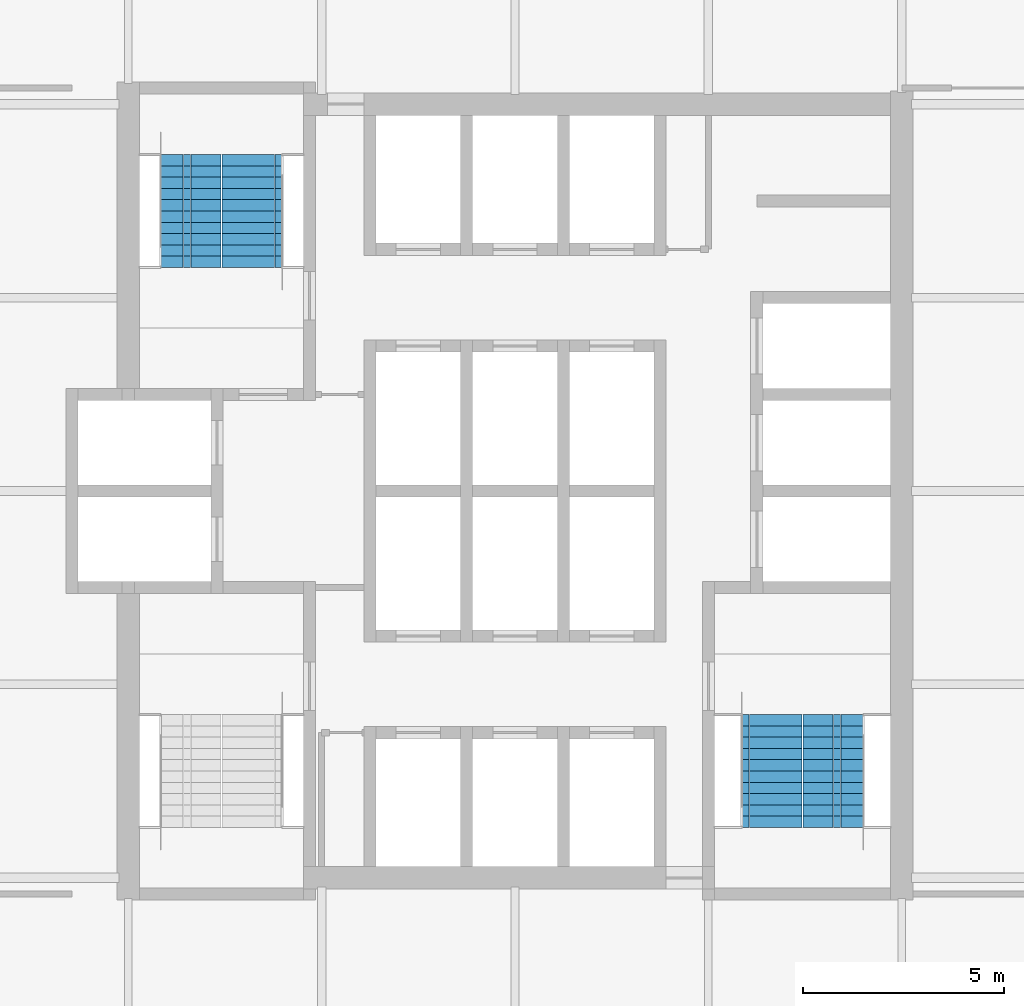
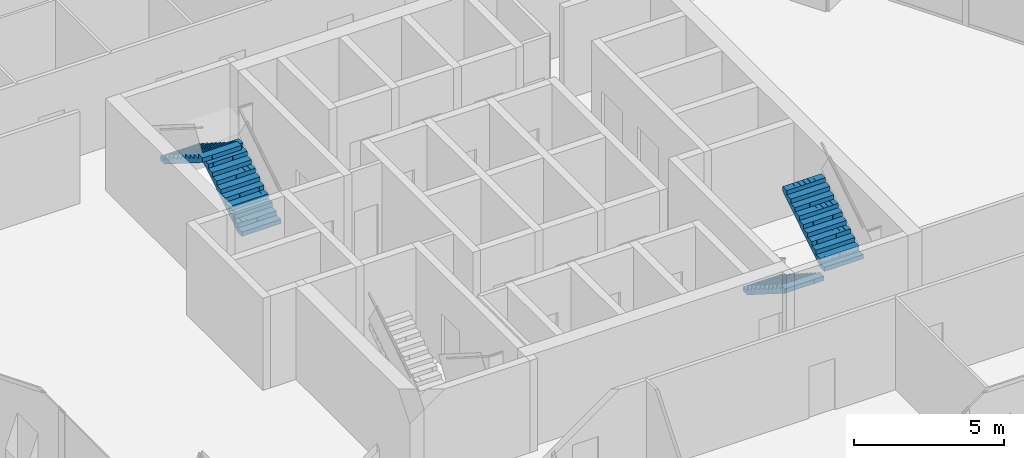
# One storey, part 11 of 13: 4 stair flights, 2 elements without a shape of their own.
"""IFC4 building model written with IfcOpenShell, lengths in metres."""

from ifc_helpers import new_model, si_unit, direction, frame, origin, place, context, subcontext, project, spatial, polyline, outline, extrude, material, type_object, element, aggregate, save


model = new_model("IFC4")

# Units and contexts
model_context = context("Model", 3, precision=1e-05, world=origin(), true_north=direction((0.0, 1.0)))
body_context = subcontext(model_context, "Body", "Model", "MODEL_VIEW")
ifc_project = project(units=[si_unit("LENGTHUNIT", "METRE"), si_unit("AREAUNIT", "SQUARE_METRE"), si_unit("VOLUMEUNIT", "CUBIC_METRE"), si_unit("PLANEANGLEUNIT", "RADIAN"), si_unit("MASSUNIT", "GRAM", prefix="KILO")], contexts=[model_context])

# Site, building, storey
site_placement = place(None, origin())
site = spatial("IfcSite", under=ifc_project, at=site_placement, CompositionType="ELEMENT")
building_placement = place(site_placement, origin())
building = spatial("IfcBuilding", under=site, at=building_placement, Name="Kolab Exchange Tower", CompositionType="ELEMENT")
storey_placement = place(building_placement, frame((0.0, 0.0, 226.699951171875)))
storey = spatial("IfcBuildingStorey", under=building, at=storey_placement, Name="L49", CompositionType="ELEMENT", Elevation=226.699951171875)

# Stair, stair flights
ifc_material = material(Name="Concrete C50/60", Category="concrete")
stair_type_1 = type_object("IfcStairType", Name="STAIR ST1 RISER 177.3", PredefinedType="HALF_TURN_STAIR", material=ifc_material)
stair_1_placement = place(storey_placement, origin())
stair_1 = element("IfcStair", 1, at=stair_1_placement, inside=storey, type_object=stair_type_1, Name="Stair 1", PredefinedType="HALF_TURN_STAIR")
stair_flight_type = type_object("IfcStairFlightType", Name="STAIR FLIGHT 1500 RISER 177.3", PredefinedType="STRAIGHT", material=ifc_material)
stair_flight_1_placement = place(storey_placement, frame((-6.527587890625, 5.550048828125, 0.0), z_axis=(0.0, 0.0, 1.0), x_axis=(0.0, 1.0, 0.0)))
stair_flight_1 = element("IfcStairFlight", 2, at=stair_flight_1_placement, type_object=stair_flight_type, Name="ST1 flight 1", NumberOfRisers=11, NumberOfTreads=10, PredefinedType="STRAIGHT", RiserHeight=0.177272727, TreadLength=0.28, context=body_context, shape_type="SweptSolid", body=[
    extrude(outline(polyline([(0.0, 0.0), (0.0, 0.17724609375), (0.280029296875, 0.17724609375), (0.280029296875, 0.3544921875), (0.56005859375, 0.3544921875), (0.56005859375, 0.53173828125), (0.840087890625, 0.53173828125), (0.840087890625, 0.708984375), (1.1201171875, 0.708984375), (1.1201171875, 0.886474609375), (1.39990234375, 0.886474609375), (1.39990234375, 1.063720703125), (1.679931640625, 1.063720703125), (1.679931640625, 1.240966796875), (1.9599609375, 1.240966796875), (1.9599609375, 1.418212890625), (2.239990234375, 1.418212890625), (2.239990234375, 1.595458984375), (2.52001953125, 1.595458984375), (2.52001953125, 1.772705078125), (2.800048828125, 1.772705078125), (2.800048828125, 1.949951171875), (2.800048828125, 1.59521484375), (0.2802734375, 0.0), (0.0, 0.0)])), frame((0.0, 0.75, 0.0), z_axis=(0.0, -1.0, 0.0), x_axis=(1.0, 0.0, 0.0)), (0.0, 0.0, 1.0), 0.185791015625),
    extrude(outline(polyline([(0.0, 0.0), (0.0, 0.17724609375), (0.280029296875, 0.17724609375), (0.280029296875, 0.3544921875), (0.56005859375, 0.3544921875), (0.56005859375, 0.53173828125), (0.840087890625, 0.53173828125), (0.840087890625, 0.708984375), (1.1201171875, 0.708984375), (1.1201171875, 0.886474609375), (1.39990234375, 0.886474609375), (1.39990234375, 1.063720703125), (1.679931640625, 1.063720703125), (1.679931640625, 1.240966796875), (1.9599609375, 1.240966796875), (1.9599609375, 1.418212890625), (2.239990234375, 1.418212890625), (2.239990234375, 1.595458984375), (2.52001953125, 1.595458984375), (2.52001953125, 1.772705078125), (2.800048828125, 1.772705078125), (2.800048828125, 1.949951171875), (2.800048828125, 1.59521484375), (0.2802734375, 0.0), (0.0, 0.0)])), frame((0.0, 0.562255859375, 0.0), z_axis=(0.0, -1.0, 0.0), x_axis=(1.0, 0.0, 0.0)), (0.0, 0.0, 1.0), 0.185791015625),
    extrude(outline(polyline([(0.0, 0.0), (0.0, 0.17724609375), (0.280029296875, 0.17724609375), (0.280029296875, 0.3544921875), (0.56005859375, 0.3544921875), (0.56005859375, 0.53173828125), (0.840087890625, 0.53173828125), (0.840087890625, 0.708984375), (1.1201171875, 0.708984375), (1.1201171875, 0.886474609375), (1.39990234375, 0.886474609375), (1.39990234375, 1.063720703125), (1.679931640625, 1.063720703125), (1.679931640625, 1.240966796875), (1.9599609375, 1.240966796875), (1.9599609375, 1.418212890625), (2.239990234375, 1.418212890625), (2.239990234375, 1.595458984375), (2.52001953125, 1.595458984375), (2.52001953125, 1.772705078125), (2.800048828125, 1.772705078125), (2.800048828125, 1.949951171875), (2.800048828125, 1.59521484375), (0.2802734375, 0.0), (0.0, 0.0)])), frame((0.0, 0.37451171875, 0.0), z_axis=(0.0, -1.0, 0.0), x_axis=(1.0, 0.0, 0.0)), (0.0, 0.0, 1.0), 0.185791015625),
    extrude(outline(polyline([(0.0, 0.0), (0.0, 0.17724609375), (0.280029296875, 0.17724609375), (0.280029296875, 0.3544921875), (0.56005859375, 0.3544921875), (0.56005859375, 0.53173828125), (0.840087890625, 0.53173828125), (0.840087890625, 0.708984375), (1.1201171875, 0.708984375), (1.1201171875, 0.886474609375), (1.39990234375, 0.886474609375), (1.39990234375, 1.063720703125), (1.679931640625, 1.063720703125), (1.679931640625, 1.240966796875), (1.9599609375, 1.240966796875), (1.9599609375, 1.418212890625), (2.239990234375, 1.418212890625), (2.239990234375, 1.595458984375), (2.52001953125, 1.595458984375), (2.52001953125, 1.772705078125), (2.800048828125, 1.772705078125), (2.800048828125, 1.949951171875), (2.800048828125, 1.59521484375), (0.2802734375, 0.0), (0.0, 0.0)])), frame((0.0, 0.186767578125, 0.0), z_axis=(0.0, -1.0, 0.0), x_axis=(1.0, 0.0, 0.0)), (0.0, 0.0, 1.0), 0.185791015625),
    extrude(outline(polyline([(0.0, 0.0), (0.0, 0.17724609375), (0.280029296875, 0.17724609375), (0.280029296875, 0.3544921875), (0.56005859375, 0.3544921875), (0.56005859375, 0.53173828125), (0.840087890625, 0.53173828125), (0.840087890625, 0.708984375), (1.1201171875, 0.708984375), (1.1201171875, 0.886474609375), (1.39990234375, 0.886474609375), (1.39990234375, 1.063720703125), (1.679931640625, 1.063720703125), (1.679931640625, 1.240966796875), (1.9599609375, 1.240966796875), (1.9599609375, 1.418212890625), (2.239990234375, 1.418212890625), (2.239990234375, 1.595458984375), (2.52001953125, 1.595458984375), (2.52001953125, 1.772705078125), (2.800048828125, 1.772705078125), (2.800048828125, 1.949951171875), (2.800048828125, 1.59521484375), (0.2802734375, 0.0), (0.0, 0.0)])), frame((0.0, -0.0009765625, 0.0), z_axis=(0.0, -1.0, 0.0), x_axis=(1.0, 0.0, 0.0)), (0.0, 0.0, 1.0), 0.185791015625),
    extrude(outline(polyline([(0.0, 0.0), (0.0, 0.17724609375), (0.280029296875, 0.17724609375), (0.280029296875, 0.3544921875), (0.56005859375, 0.3544921875), (0.56005859375, 0.53173828125), (0.840087890625, 0.53173828125), (0.840087890625, 0.708984375), (1.1201171875, 0.708984375), (1.1201171875, 0.886474609375), (1.39990234375, 0.886474609375), (1.39990234375, 1.063720703125), (1.679931640625, 1.063720703125), (1.679931640625, 1.240966796875), (1.9599609375, 1.240966796875), (1.9599609375, 1.418212890625), (2.239990234375, 1.418212890625), (2.239990234375, 1.595458984375), (2.52001953125, 1.595458984375), (2.52001953125, 1.772705078125), (2.800048828125, 1.772705078125), (2.800048828125, 1.949951171875), (2.800048828125, 1.59521484375), (0.2802734375, 0.0), (0.0, 0.0)])), frame((0.0, -0.188720703125, 0.0), z_axis=(0.0, -1.0, 0.0), x_axis=(1.0, 0.0, 0.0)), (0.0, 0.0, 1.0), 0.185791015625),
    extrude(outline(polyline([(0.0, 0.0), (0.0, 0.17724609375), (0.280029296875, 0.17724609375), (0.280029296875, 0.3544921875), (0.56005859375, 0.3544921875), (0.56005859375, 0.53173828125), (0.840087890625, 0.53173828125), (0.840087890625, 0.708984375), (1.1201171875, 0.708984375), (1.1201171875, 0.886474609375), (1.39990234375, 0.886474609375), (1.39990234375, 1.063720703125), (1.679931640625, 1.063720703125), (1.679931640625, 1.240966796875), (1.9599609375, 1.240966796875), (1.9599609375, 1.418212890625), (2.239990234375, 1.418212890625), (2.239990234375, 1.595458984375), (2.52001953125, 1.595458984375), (2.52001953125, 1.772705078125), (2.800048828125, 1.772705078125), (2.800048828125, 1.949951171875), (2.800048828125, 1.59521484375), (0.2802734375, 0.0), (0.0, 0.0)])), frame((0.0, -0.37646484375, 0.0), z_axis=(0.0, -1.0, 0.0), x_axis=(1.0, 0.0, 0.0)), (0.0, 0.0, 1.0), 0.185791015625),
    extrude(outline(polyline([(0.0, 0.0), (0.0, 0.17724609375), (0.280029296875, 0.17724609375), (0.280029296875, 0.3544921875), (0.56005859375, 0.3544921875), (0.56005859375, 0.53173828125), (0.840087890625, 0.53173828125), (0.840087890625, 0.708984375), (1.1201171875, 0.708984375), (1.1201171875, 0.886474609375), (1.39990234375, 0.886474609375), (1.39990234375, 1.063720703125), (1.679931640625, 1.063720703125), (1.679931640625, 1.240966796875), (1.9599609375, 1.240966796875), (1.9599609375, 1.418212890625), (2.239990234375, 1.418212890625), (2.239990234375, 1.595458984375), (2.52001953125, 1.595458984375), (2.52001953125, 1.772705078125), (2.800048828125, 1.772705078125), (2.800048828125, 1.949951171875), (2.800048828125, 1.59521484375), (0.2802734375, 0.0), (0.0, 0.0)])), frame((0.0, -0.564208984375, 0.0), z_axis=(0.0, -1.0, 0.0), x_axis=(1.0, 0.0, 0.0)), (0.0, 0.0, 1.0), 0.185791015625),
])
stair_flight_2_placement = place(storey_placement, frame((-8.047607421875, 8.35009765625, 1.949951171875), z_axis=(0.0, 0.0, 1.0), x_axis=(0.0, -1.0, 0.0)))
stair_flight_2 = element("IfcStairFlight", 3, at=stair_flight_2_placement, type_object=stair_flight_type, Name="ST1 flight 2", NumberOfRisers=11, NumberOfTreads=10, PredefinedType="STRAIGHT", RiserHeight=0.177272727, TreadLength=0.28, context=body_context, shape_type="SweptSolid", body=[
    extrude(outline(polyline([(0.0, 0.0), (0.0, 0.17724609375), (0.280029296875, 0.17724609375), (0.280029296875, 0.3544921875), (0.56005859375, 0.3544921875), (0.56005859375, 0.53173828125), (0.840087890625, 0.53173828125), (0.840087890625, 0.708984375), (1.1201171875, 0.708984375), (1.1201171875, 0.886474609375), (1.39990234375, 0.886474609375), (1.39990234375, 1.063720703125), (1.679931640625, 1.063720703125), (1.679931640625, 1.240966796875), (1.9599609375, 1.240966796875), (1.9599609375, 1.418212890625), (2.239990234375, 1.418212890625), (2.239990234375, 1.595458984375), (2.52001953125, 1.595458984375), (2.52001953125, 1.772705078125), (2.800048828125, 1.772705078125), (2.800048828125, 1.949951171875), (2.800048828125, 1.59521484375), (0.2802734375, 0.0), (0.0, 0.0)])), frame((0.0, 0.75, 0.0), z_axis=(0.0, -1.0, 0.0), x_axis=(1.0, 0.0, 0.0)), (0.0, 0.0, 1.0), 0.185791015625),
    extrude(outline(polyline([(0.0, 0.0), (0.0, 0.17724609375), (0.280029296875, 0.17724609375), (0.280029296875, 0.3544921875), (0.56005859375, 0.3544921875), (0.56005859375, 0.53173828125), (0.840087890625, 0.53173828125), (0.840087890625, 0.708984375), (1.1201171875, 0.708984375), (1.1201171875, 0.886474609375), (1.39990234375, 0.886474609375), (1.39990234375, 1.063720703125), (1.679931640625, 1.063720703125), (1.679931640625, 1.240966796875), (1.9599609375, 1.240966796875), (1.9599609375, 1.418212890625), (2.239990234375, 1.418212890625), (2.239990234375, 1.595458984375), (2.52001953125, 1.595458984375), (2.52001953125, 1.772705078125), (2.800048828125, 1.772705078125), (2.800048828125, 1.949951171875), (2.800048828125, 1.59521484375), (0.2802734375, 0.0), (0.0, 0.0)])), frame((0.0, 0.562255859375, 0.0), z_axis=(0.0, -1.0, 0.0), x_axis=(1.0, 0.0, 0.0)), (0.0, 0.0, 1.0), 0.185791015625),
    extrude(outline(polyline([(0.0, 0.0), (0.0, 0.17724609375), (0.280029296875, 0.17724609375), (0.280029296875, 0.3544921875), (0.56005859375, 0.3544921875), (0.56005859375, 0.53173828125), (0.840087890625, 0.53173828125), (0.840087890625, 0.708984375), (1.1201171875, 0.708984375), (1.1201171875, 0.886474609375), (1.39990234375, 0.886474609375), (1.39990234375, 1.063720703125), (1.679931640625, 1.063720703125), (1.679931640625, 1.240966796875), (1.9599609375, 1.240966796875), (1.9599609375, 1.418212890625), (2.239990234375, 1.418212890625), (2.239990234375, 1.595458984375), (2.52001953125, 1.595458984375), (2.52001953125, 1.772705078125), (2.800048828125, 1.772705078125), (2.800048828125, 1.949951171875), (2.800048828125, 1.59521484375), (0.2802734375, 0.0), (0.0, 0.0)])), frame((0.0, 0.37451171875, 0.0), z_axis=(0.0, -1.0, 0.0), x_axis=(1.0, 0.0, 0.0)), (0.0, 0.0, 1.0), 0.185791015625),
    extrude(outline(polyline([(0.0, 0.0), (0.0, 0.17724609375), (0.280029296875, 0.17724609375), (0.280029296875, 0.3544921875), (0.56005859375, 0.3544921875), (0.56005859375, 0.53173828125), (0.840087890625, 0.53173828125), (0.840087890625, 0.708984375), (1.1201171875, 0.708984375), (1.1201171875, 0.886474609375), (1.39990234375, 0.886474609375), (1.39990234375, 1.063720703125), (1.679931640625, 1.063720703125), (1.679931640625, 1.240966796875), (1.9599609375, 1.240966796875), (1.9599609375, 1.418212890625), (2.239990234375, 1.418212890625), (2.239990234375, 1.595458984375), (2.52001953125, 1.595458984375), (2.52001953125, 1.772705078125), (2.800048828125, 1.772705078125), (2.800048828125, 1.949951171875), (2.800048828125, 1.59521484375), (0.2802734375, 0.0), (0.0, 0.0)])), frame((0.0, 0.186767578125, 0.0), z_axis=(0.0, -1.0, 0.0), x_axis=(1.0, 0.0, 0.0)), (0.0, 0.0, 1.0), 0.185791015625),
    extrude(outline(polyline([(0.0, 0.0), (0.0, 0.17724609375), (0.280029296875, 0.17724609375), (0.280029296875, 0.3544921875), (0.56005859375, 0.3544921875), (0.56005859375, 0.53173828125), (0.840087890625, 0.53173828125), (0.840087890625, 0.708984375), (1.1201171875, 0.708984375), (1.1201171875, 0.886474609375), (1.39990234375, 0.886474609375), (1.39990234375, 1.063720703125), (1.679931640625, 1.063720703125), (1.679931640625, 1.240966796875), (1.9599609375, 1.240966796875), (1.9599609375, 1.418212890625), (2.239990234375, 1.418212890625), (2.239990234375, 1.595458984375), (2.52001953125, 1.595458984375), (2.52001953125, 1.772705078125), (2.800048828125, 1.772705078125), (2.800048828125, 1.949951171875), (2.800048828125, 1.59521484375), (0.2802734375, 0.0), (0.0, 0.0)])), frame((0.0, -0.0009765625, 0.0), z_axis=(0.0, -1.0, 0.0), x_axis=(1.0, 0.0, 0.0)), (0.0, 0.0, 1.0), 0.185791015625),
    extrude(outline(polyline([(0.0, 0.0), (0.0, 0.17724609375), (0.280029296875, 0.17724609375), (0.280029296875, 0.3544921875), (0.56005859375, 0.3544921875), (0.56005859375, 0.53173828125), (0.840087890625, 0.53173828125), (0.840087890625, 0.708984375), (1.1201171875, 0.708984375), (1.1201171875, 0.886474609375), (1.39990234375, 0.886474609375), (1.39990234375, 1.063720703125), (1.679931640625, 1.063720703125), (1.679931640625, 1.240966796875), (1.9599609375, 1.240966796875), (1.9599609375, 1.418212890625), (2.239990234375, 1.418212890625), (2.239990234375, 1.595458984375), (2.52001953125, 1.595458984375), (2.52001953125, 1.772705078125), (2.800048828125, 1.772705078125), (2.800048828125, 1.949951171875), (2.800048828125, 1.59521484375), (0.2802734375, 0.0), (0.0, 0.0)])), frame((0.0, -0.188720703125, 0.0), z_axis=(0.0, -1.0, 0.0), x_axis=(1.0, 0.0, 0.0)), (0.0, 0.0, 1.0), 0.185791015625),
    extrude(outline(polyline([(0.0, 0.0), (0.0, 0.17724609375), (0.280029296875, 0.17724609375), (0.280029296875, 0.3544921875), (0.56005859375, 0.3544921875), (0.56005859375, 0.53173828125), (0.840087890625, 0.53173828125), (0.840087890625, 0.708984375), (1.1201171875, 0.708984375), (1.1201171875, 0.886474609375), (1.39990234375, 0.886474609375), (1.39990234375, 1.063720703125), (1.679931640625, 1.063720703125), (1.679931640625, 1.240966796875), (1.9599609375, 1.240966796875), (1.9599609375, 1.418212890625), (2.239990234375, 1.418212890625), (2.239990234375, 1.595458984375), (2.52001953125, 1.595458984375), (2.52001953125, 1.772705078125), (2.800048828125, 1.772705078125), (2.800048828125, 1.949951171875), (2.800048828125, 1.59521484375), (0.2802734375, 0.0), (0.0, 0.0)])), frame((0.0, -0.37646484375, 0.0), z_axis=(0.0, -1.0, 0.0), x_axis=(1.0, 0.0, 0.0)), (0.0, 0.0, 1.0), 0.185791015625),
    extrude(outline(polyline([(0.0, 0.0), (0.0, 0.17724609375), (0.280029296875, 0.17724609375), (0.280029296875, 0.3544921875), (0.56005859375, 0.3544921875), (0.56005859375, 0.53173828125), (0.840087890625, 0.53173828125), (0.840087890625, 0.708984375), (1.1201171875, 0.708984375), (1.1201171875, 0.886474609375), (1.39990234375, 0.886474609375), (1.39990234375, 1.063720703125), (1.679931640625, 1.063720703125), (1.679931640625, 1.240966796875), (1.9599609375, 1.240966796875), (1.9599609375, 1.418212890625), (2.239990234375, 1.418212890625), (2.239990234375, 1.595458984375), (2.52001953125, 1.595458984375), (2.52001953125, 1.772705078125), (2.800048828125, 1.772705078125), (2.800048828125, 1.949951171875), (2.800048828125, 1.59521484375), (0.2802734375, 0.0), (0.0, 0.0)])), frame((0.0, -0.564208984375, 0.0), z_axis=(0.0, -1.0, 0.0), x_axis=(1.0, 0.0, 0.0)), (0.0, 0.0, 1.0), 0.185791015625),
])
aggregate(stair_1, [stair_flight_1, stair_flight_2])

stair_type_2 = type_object("IfcStairType", Name="STAIR ST2 RISER 177.3", PredefinedType="HALF_TURN_STAIR", material=ifc_material)
stair_2_placement = place(storey_placement, origin())
stair_2 = element("IfcStair", 4, at=stair_2_placement, inside=storey, type_object=stair_type_2, Name="Stair 2", PredefinedType="HALF_TURN_STAIR")
stair_flight_3_placement = place(storey_placement, frame((6.37744140625, -5.550048828125, 0.0), z_axis=(0.0, 0.0, 1.0), x_axis=(0.0, -1.0, 0.0)))
stair_flight_3 = element("IfcStairFlight", 5, at=stair_flight_3_placement, type_object=stair_flight_type, Name="ST2 flight 1", NumberOfRisers=11, NumberOfTreads=10, PredefinedType="STRAIGHT", RiserHeight=0.177272727, TreadLength=0.28, context=body_context, shape_type="SweptSolid", body=[
    extrude(outline(polyline([(0.0, 0.0), (0.0, 0.17724609375), (0.280029296875, 0.17724609375), (0.280029296875, 0.3544921875), (0.56005859375, 0.3544921875), (0.56005859375, 0.53173828125), (0.840087890625, 0.53173828125), (0.840087890625, 0.708984375), (1.1201171875, 0.708984375), (1.1201171875, 0.886474609375), (1.39990234375, 0.886474609375), (1.39990234375, 1.063720703125), (1.679931640625, 1.063720703125), (1.679931640625, 1.240966796875), (1.9599609375, 1.240966796875), (1.9599609375, 1.418212890625), (2.239990234375, 1.418212890625), (2.239990234375, 1.595458984375), (2.52001953125, 1.595458984375), (2.52001953125, 1.772705078125), (2.800048828125, 1.772705078125), (2.800048828125, 1.949951171875), (2.800048828125, 1.59521484375), (0.2802734375, 0.0), (0.0, 0.0)])), frame((0.0, 0.75, 0.0), z_axis=(0.0, -1.0, 0.0), x_axis=(1.0, 0.0, 0.0)), (0.0, 0.0, 1.0), 0.185791015625),
    extrude(outline(polyline([(0.0, 0.0), (0.0, 0.17724609375), (0.280029296875, 0.17724609375), (0.280029296875, 0.3544921875), (0.56005859375, 0.3544921875), (0.56005859375, 0.53173828125), (0.840087890625, 0.53173828125), (0.840087890625, 0.708984375), (1.1201171875, 0.708984375), (1.1201171875, 0.886474609375), (1.39990234375, 0.886474609375), (1.39990234375, 1.063720703125), (1.679931640625, 1.063720703125), (1.679931640625, 1.240966796875), (1.9599609375, 1.240966796875), (1.9599609375, 1.418212890625), (2.239990234375, 1.418212890625), (2.239990234375, 1.595458984375), (2.52001953125, 1.595458984375), (2.52001953125, 1.772705078125), (2.800048828125, 1.772705078125), (2.800048828125, 1.949951171875), (2.800048828125, 1.59521484375), (0.2802734375, 0.0), (0.0, 0.0)])), frame((0.0, 0.562255859375, 0.0), z_axis=(0.0, -1.0, 0.0), x_axis=(1.0, 0.0, 0.0)), (0.0, 0.0, 1.0), 0.185791015625),
    extrude(outline(polyline([(0.0, 0.0), (0.0, 0.17724609375), (0.280029296875, 0.17724609375), (0.280029296875, 0.3544921875), (0.56005859375, 0.3544921875), (0.56005859375, 0.53173828125), (0.840087890625, 0.53173828125), (0.840087890625, 0.708984375), (1.1201171875, 0.708984375), (1.1201171875, 0.886474609375), (1.39990234375, 0.886474609375), (1.39990234375, 1.063720703125), (1.679931640625, 1.063720703125), (1.679931640625, 1.240966796875), (1.9599609375, 1.240966796875), (1.9599609375, 1.418212890625), (2.239990234375, 1.418212890625), (2.239990234375, 1.595458984375), (2.52001953125, 1.595458984375), (2.52001953125, 1.772705078125), (2.800048828125, 1.772705078125), (2.800048828125, 1.949951171875), (2.800048828125, 1.59521484375), (0.2802734375, 0.0), (0.0, 0.0)])), frame((0.0, 0.37451171875, 0.0), z_axis=(0.0, -1.0, 0.0), x_axis=(1.0, 0.0, 0.0)), (0.0, 0.0, 1.0), 0.185791015625),
    extrude(outline(polyline([(0.0, 0.0), (0.0, 0.17724609375), (0.280029296875, 0.17724609375), (0.280029296875, 0.3544921875), (0.56005859375, 0.3544921875), (0.56005859375, 0.53173828125), (0.840087890625, 0.53173828125), (0.840087890625, 0.708984375), (1.1201171875, 0.708984375), (1.1201171875, 0.886474609375), (1.39990234375, 0.886474609375), (1.39990234375, 1.063720703125), (1.679931640625, 1.063720703125), (1.679931640625, 1.240966796875), (1.9599609375, 1.240966796875), (1.9599609375, 1.418212890625), (2.239990234375, 1.418212890625), (2.239990234375, 1.595458984375), (2.52001953125, 1.595458984375), (2.52001953125, 1.772705078125), (2.800048828125, 1.772705078125), (2.800048828125, 1.949951171875), (2.800048828125, 1.59521484375), (0.2802734375, 0.0), (0.0, 0.0)])), frame((0.0, 0.186767578125, 0.0), z_axis=(0.0, -1.0, 0.0), x_axis=(1.0, 0.0, 0.0)), (0.0, 0.0, 1.0), 0.185791015625),
    extrude(outline(polyline([(0.0, 0.0), (0.0, 0.17724609375), (0.280029296875, 0.17724609375), (0.280029296875, 0.3544921875), (0.56005859375, 0.3544921875), (0.56005859375, 0.53173828125), (0.840087890625, 0.53173828125), (0.840087890625, 0.708984375), (1.1201171875, 0.708984375), (1.1201171875, 0.886474609375), (1.39990234375, 0.886474609375), (1.39990234375, 1.063720703125), (1.679931640625, 1.063720703125), (1.679931640625, 1.240966796875), (1.9599609375, 1.240966796875), (1.9599609375, 1.418212890625), (2.239990234375, 1.418212890625), (2.239990234375, 1.595458984375), (2.52001953125, 1.595458984375), (2.52001953125, 1.772705078125), (2.800048828125, 1.772705078125), (2.800048828125, 1.949951171875), (2.800048828125, 1.59521484375), (0.2802734375, 0.0), (0.0, 0.0)])), frame((0.0, -0.0009765625, 0.0), z_axis=(0.0, -1.0, 0.0), x_axis=(1.0, 0.0, 0.0)), (0.0, 0.0, 1.0), 0.185791015625),
    extrude(outline(polyline([(0.0, 0.0), (0.0, 0.17724609375), (0.280029296875, 0.17724609375), (0.280029296875, 0.3544921875), (0.56005859375, 0.3544921875), (0.56005859375, 0.53173828125), (0.840087890625, 0.53173828125), (0.840087890625, 0.708984375), (1.1201171875, 0.708984375), (1.1201171875, 0.886474609375), (1.39990234375, 0.886474609375), (1.39990234375, 1.063720703125), (1.679931640625, 1.063720703125), (1.679931640625, 1.240966796875), (1.9599609375, 1.240966796875), (1.9599609375, 1.418212890625), (2.239990234375, 1.418212890625), (2.239990234375, 1.595458984375), (2.52001953125, 1.595458984375), (2.52001953125, 1.772705078125), (2.800048828125, 1.772705078125), (2.800048828125, 1.949951171875), (2.800048828125, 1.59521484375), (0.2802734375, 0.0), (0.0, 0.0)])), frame((0.0, -0.188720703125, 0.0), z_axis=(0.0, -1.0, 0.0), x_axis=(1.0, 0.0, 0.0)), (0.0, 0.0, 1.0), 0.185791015625),
    extrude(outline(polyline([(0.0, 0.0), (0.0, 0.17724609375), (0.280029296875, 0.17724609375), (0.280029296875, 0.3544921875), (0.56005859375, 0.3544921875), (0.56005859375, 0.53173828125), (0.840087890625, 0.53173828125), (0.840087890625, 0.708984375), (1.1201171875, 0.708984375), (1.1201171875, 0.886474609375), (1.39990234375, 0.886474609375), (1.39990234375, 1.063720703125), (1.679931640625, 1.063720703125), (1.679931640625, 1.240966796875), (1.9599609375, 1.240966796875), (1.9599609375, 1.418212890625), (2.239990234375, 1.418212890625), (2.239990234375, 1.595458984375), (2.52001953125, 1.595458984375), (2.52001953125, 1.772705078125), (2.800048828125, 1.772705078125), (2.800048828125, 1.949951171875), (2.800048828125, 1.59521484375), (0.2802734375, 0.0), (0.0, 0.0)])), frame((0.0, -0.37646484375, 0.0), z_axis=(0.0, -1.0, 0.0), x_axis=(1.0, 0.0, 0.0)), (0.0, 0.0, 1.0), 0.185791015625),
    extrude(outline(polyline([(0.0, 0.0), (0.0, 0.17724609375), (0.280029296875, 0.17724609375), (0.280029296875, 0.3544921875), (0.56005859375, 0.3544921875), (0.56005859375, 0.53173828125), (0.840087890625, 0.53173828125), (0.840087890625, 0.708984375), (1.1201171875, 0.708984375), (1.1201171875, 0.886474609375), (1.39990234375, 0.886474609375), (1.39990234375, 1.063720703125), (1.679931640625, 1.063720703125), (1.679931640625, 1.240966796875), (1.9599609375, 1.240966796875), (1.9599609375, 1.418212890625), (2.239990234375, 1.418212890625), (2.239990234375, 1.595458984375), (2.52001953125, 1.595458984375), (2.52001953125, 1.772705078125), (2.800048828125, 1.772705078125), (2.800048828125, 1.949951171875), (2.800048828125, 1.59521484375), (0.2802734375, 0.0), (0.0, 0.0)])), frame((0.0, -0.564208984375, 0.0), z_axis=(0.0, -1.0, 0.0), x_axis=(1.0, 0.0, 0.0)), (0.0, 0.0, 1.0), 0.185791015625),
])
stair_flight_4_placement = place(storey_placement, frame((7.8974609375, -8.35009765625, 1.949951171875), z_axis=(0.0, 0.0, 1.0), x_axis=(0.0, 1.0, 0.0)))
stair_flight_4 = element("IfcStairFlight", 6, at=stair_flight_4_placement, type_object=stair_flight_type, Name="ST2 flight 2", NumberOfRisers=11, NumberOfTreads=10, PredefinedType="STRAIGHT", RiserHeight=0.177272727, TreadLength=0.28, context=body_context, shape_type="SweptSolid", body=[
    extrude(outline(polyline([(0.0, 0.0), (0.0, 0.17724609375), (0.280029296875, 0.17724609375), (0.280029296875, 0.3544921875), (0.56005859375, 0.3544921875), (0.56005859375, 0.53173828125), (0.840087890625, 0.53173828125), (0.840087890625, 0.708984375), (1.1201171875, 0.708984375), (1.1201171875, 0.886474609375), (1.39990234375, 0.886474609375), (1.39990234375, 1.063720703125), (1.679931640625, 1.063720703125), (1.679931640625, 1.240966796875), (1.9599609375, 1.240966796875), (1.9599609375, 1.418212890625), (2.239990234375, 1.418212890625), (2.239990234375, 1.595458984375), (2.52001953125, 1.595458984375), (2.52001953125, 1.772705078125), (2.800048828125, 1.772705078125), (2.800048828125, 1.949951171875), (2.800048828125, 1.59521484375), (0.2802734375, 0.0), (0.0, 0.0)])), frame((0.0, 0.75, 0.0), z_axis=(0.0, -1.0, 0.0), x_axis=(1.0, 0.0, 0.0)), (0.0, 0.0, 1.0), 0.185791015625),
    extrude(outline(polyline([(0.0, 0.0), (0.0, 0.17724609375), (0.280029296875, 0.17724609375), (0.280029296875, 0.3544921875), (0.56005859375, 0.3544921875), (0.56005859375, 0.53173828125), (0.840087890625, 0.53173828125), (0.840087890625, 0.708984375), (1.1201171875, 0.708984375), (1.1201171875, 0.886474609375), (1.39990234375, 0.886474609375), (1.39990234375, 1.063720703125), (1.679931640625, 1.063720703125), (1.679931640625, 1.240966796875), (1.9599609375, 1.240966796875), (1.9599609375, 1.418212890625), (2.239990234375, 1.418212890625), (2.239990234375, 1.595458984375), (2.52001953125, 1.595458984375), (2.52001953125, 1.772705078125), (2.800048828125, 1.772705078125), (2.800048828125, 1.949951171875), (2.800048828125, 1.59521484375), (0.2802734375, 0.0), (0.0, 0.0)])), frame((0.0, 0.562255859375, 0.0), z_axis=(0.0, -1.0, 0.0), x_axis=(1.0, 0.0, 0.0)), (0.0, 0.0, 1.0), 0.185791015625),
    extrude(outline(polyline([(0.0, 0.0), (0.0, 0.17724609375), (0.280029296875, 0.17724609375), (0.280029296875, 0.3544921875), (0.56005859375, 0.3544921875), (0.56005859375, 0.53173828125), (0.840087890625, 0.53173828125), (0.840087890625, 0.708984375), (1.1201171875, 0.708984375), (1.1201171875, 0.886474609375), (1.39990234375, 0.886474609375), (1.39990234375, 1.063720703125), (1.679931640625, 1.063720703125), (1.679931640625, 1.240966796875), (1.9599609375, 1.240966796875), (1.9599609375, 1.418212890625), (2.239990234375, 1.418212890625), (2.239990234375, 1.595458984375), (2.52001953125, 1.595458984375), (2.52001953125, 1.772705078125), (2.800048828125, 1.772705078125), (2.800048828125, 1.949951171875), (2.800048828125, 1.59521484375), (0.2802734375, 0.0), (0.0, 0.0)])), frame((0.0, 0.37451171875, 0.0), z_axis=(0.0, -1.0, 0.0), x_axis=(1.0, 0.0, 0.0)), (0.0, 0.0, 1.0), 0.185791015625),
    extrude(outline(polyline([(0.0, 0.0), (0.0, 0.17724609375), (0.280029296875, 0.17724609375), (0.280029296875, 0.3544921875), (0.56005859375, 0.3544921875), (0.56005859375, 0.53173828125), (0.840087890625, 0.53173828125), (0.840087890625, 0.708984375), (1.1201171875, 0.708984375), (1.1201171875, 0.886474609375), (1.39990234375, 0.886474609375), (1.39990234375, 1.063720703125), (1.679931640625, 1.063720703125), (1.679931640625, 1.240966796875), (1.9599609375, 1.240966796875), (1.9599609375, 1.418212890625), (2.239990234375, 1.418212890625), (2.239990234375, 1.595458984375), (2.52001953125, 1.595458984375), (2.52001953125, 1.772705078125), (2.800048828125, 1.772705078125), (2.800048828125, 1.949951171875), (2.800048828125, 1.59521484375), (0.2802734375, 0.0), (0.0, 0.0)])), frame((0.0, 0.186767578125, 0.0), z_axis=(0.0, -1.0, 0.0), x_axis=(1.0, 0.0, 0.0)), (0.0, 0.0, 1.0), 0.185791015625),
    extrude(outline(polyline([(0.0, 0.0), (0.0, 0.17724609375), (0.280029296875, 0.17724609375), (0.280029296875, 0.3544921875), (0.56005859375, 0.3544921875), (0.56005859375, 0.53173828125), (0.840087890625, 0.53173828125), (0.840087890625, 0.708984375), (1.1201171875, 0.708984375), (1.1201171875, 0.886474609375), (1.39990234375, 0.886474609375), (1.39990234375, 1.063720703125), (1.679931640625, 1.063720703125), (1.679931640625, 1.240966796875), (1.9599609375, 1.240966796875), (1.9599609375, 1.418212890625), (2.239990234375, 1.418212890625), (2.239990234375, 1.595458984375), (2.52001953125, 1.595458984375), (2.52001953125, 1.772705078125), (2.800048828125, 1.772705078125), (2.800048828125, 1.949951171875), (2.800048828125, 1.59521484375), (0.2802734375, 0.0), (0.0, 0.0)])), frame((0.0, -0.0009765625, 0.0), z_axis=(0.0, -1.0, 0.0), x_axis=(1.0, 0.0, 0.0)), (0.0, 0.0, 1.0), 0.185791015625),
    extrude(outline(polyline([(0.0, 0.0), (0.0, 0.17724609375), (0.280029296875, 0.17724609375), (0.280029296875, 0.3544921875), (0.56005859375, 0.3544921875), (0.56005859375, 0.53173828125), (0.840087890625, 0.53173828125), (0.840087890625, 0.708984375), (1.1201171875, 0.708984375), (1.1201171875, 0.886474609375), (1.39990234375, 0.886474609375), (1.39990234375, 1.063720703125), (1.679931640625, 1.063720703125), (1.679931640625, 1.240966796875), (1.9599609375, 1.240966796875), (1.9599609375, 1.418212890625), (2.239990234375, 1.418212890625), (2.239990234375, 1.595458984375), (2.52001953125, 1.595458984375), (2.52001953125, 1.772705078125), (2.800048828125, 1.772705078125), (2.800048828125, 1.949951171875), (2.800048828125, 1.59521484375), (0.2802734375, 0.0), (0.0, 0.0)])), frame((0.0, -0.188720703125, 0.0), z_axis=(0.0, -1.0, 0.0), x_axis=(1.0, 0.0, 0.0)), (0.0, 0.0, 1.0), 0.185791015625),
    extrude(outline(polyline([(0.0, 0.0), (0.0, 0.17724609375), (0.280029296875, 0.17724609375), (0.280029296875, 0.3544921875), (0.56005859375, 0.3544921875), (0.56005859375, 0.53173828125), (0.840087890625, 0.53173828125), (0.840087890625, 0.708984375), (1.1201171875, 0.708984375), (1.1201171875, 0.886474609375), (1.39990234375, 0.886474609375), (1.39990234375, 1.063720703125), (1.679931640625, 1.063720703125), (1.679931640625, 1.240966796875), (1.9599609375, 1.240966796875), (1.9599609375, 1.418212890625), (2.239990234375, 1.418212890625), (2.239990234375, 1.595458984375), (2.52001953125, 1.595458984375), (2.52001953125, 1.772705078125), (2.800048828125, 1.772705078125), (2.800048828125, 1.949951171875), (2.800048828125, 1.59521484375), (0.2802734375, 0.0), (0.0, 0.0)])), frame((0.0, -0.37646484375, 0.0), z_axis=(0.0, -1.0, 0.0), x_axis=(1.0, 0.0, 0.0)), (0.0, 0.0, 1.0), 0.185791015625),
    extrude(outline(polyline([(0.0, 0.0), (0.0, 0.17724609375), (0.280029296875, 0.17724609375), (0.280029296875, 0.3544921875), (0.56005859375, 0.3544921875), (0.56005859375, 0.53173828125), (0.840087890625, 0.53173828125), (0.840087890625, 0.708984375), (1.1201171875, 0.708984375), (1.1201171875, 0.886474609375), (1.39990234375, 0.886474609375), (1.39990234375, 1.063720703125), (1.679931640625, 1.063720703125), (1.679931640625, 1.240966796875), (1.9599609375, 1.240966796875), (1.9599609375, 1.418212890625), (2.239990234375, 1.418212890625), (2.239990234375, 1.595458984375), (2.52001953125, 1.595458984375), (2.52001953125, 1.772705078125), (2.800048828125, 1.772705078125), (2.800048828125, 1.949951171875), (2.800048828125, 1.59521484375), (0.2802734375, 0.0), (0.0, 0.0)])), frame((0.0, -0.564208984375, 0.0), z_axis=(0.0, -1.0, 0.0), x_axis=(1.0, 0.0, 0.0)), (0.0, 0.0, 1.0), 0.185791015625),
])
aggregate(stair_2, [stair_flight_3, stair_flight_4])

save(model, "model.ifc")
